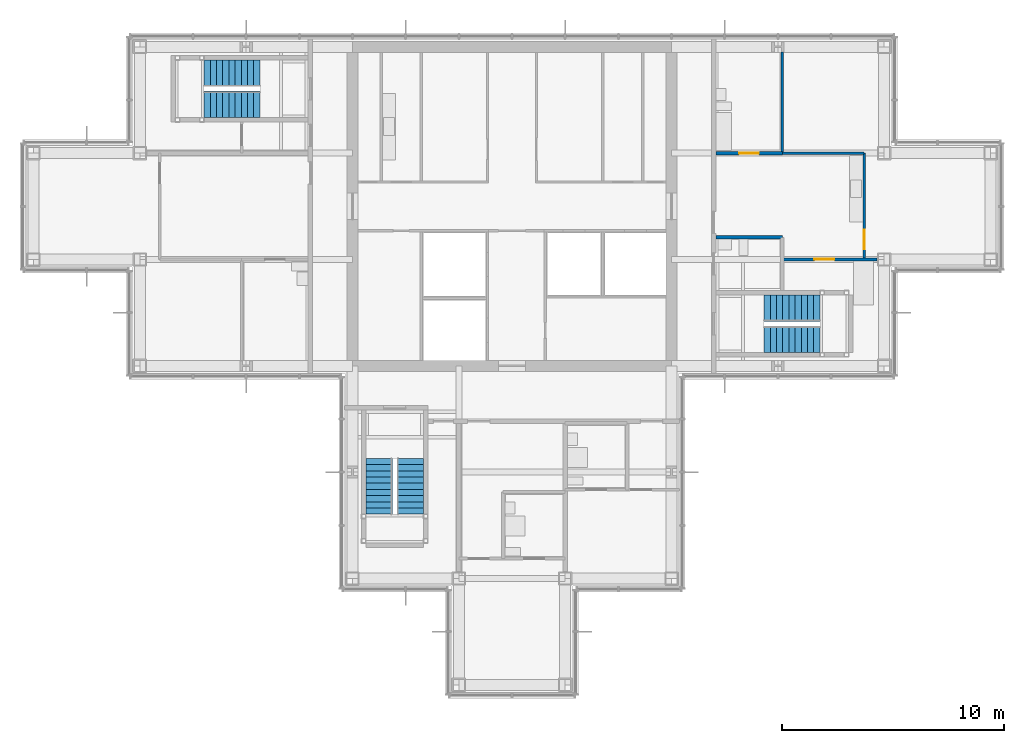
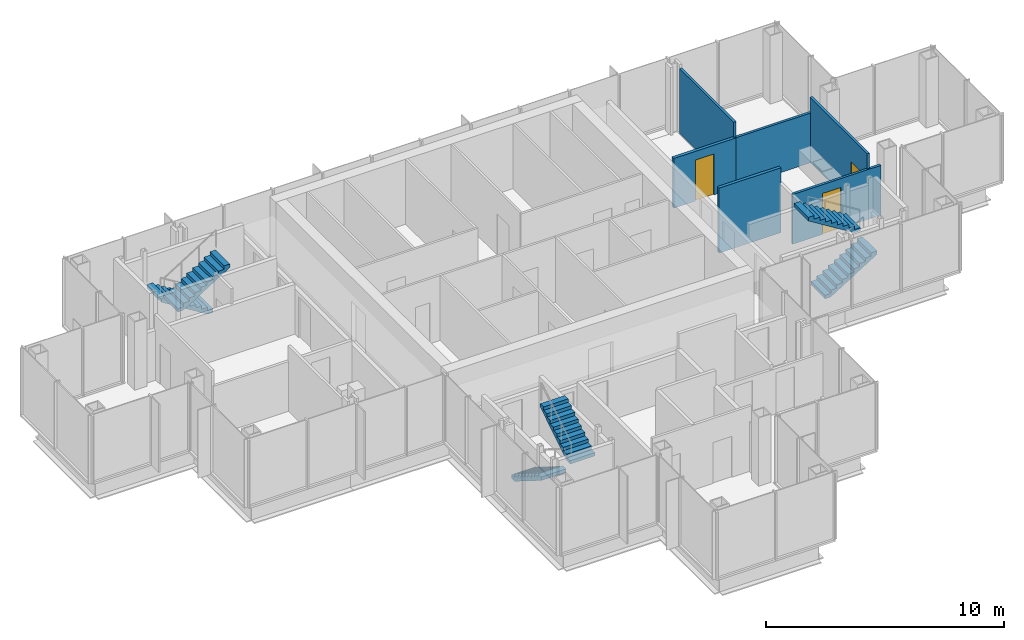
# One storey, part 12 of 15: 6 stair flights, 6 walls, 3 doors, 3 openings, 3 elements without a shape of their own.
"""IFC4 building model written with IfcOpenShell, lengths in metres."""

from ifc_helpers import new_model, si_unit, direction, frame, frame_2d, origin, place, context, subcontext, project, spatial, polyline, rectangle, outline, extrude, material, layer, layer_set, type_object, element, fill, aggregate, save


model = new_model("IFC4")

# Units and contexts
model_context = context("Model", 3, precision=1e-05, world=origin(), true_north=direction((0.0, 1.0)))
body_context = subcontext(model_context, "Body", "Model", "MODEL_VIEW")
ifc_project = project(units=[si_unit("LENGTHUNIT", "METRE"), si_unit("AREAUNIT", "SQUARE_METRE"), si_unit("VOLUMEUNIT", "CUBIC_METRE"), si_unit("PLANEANGLEUNIT", "RADIAN"), si_unit("MASSUNIT", "GRAM", prefix="KILO")], contexts=[model_context])

# Site, building, storey
site_placement = place(None, origin())
site = spatial("IfcSite", under=ifc_project, at=site_placement, CompositionType="ELEMENT")
building_placement = place(site_placement, origin())
building = spatial("IfcBuilding", under=site, at=building_placement, Name="Kvirike Care Tower", CompositionType="ELEMENT")
storey_placement = place(building_placement, frame((0.0, 0.0, 236.5)))
storey = spatial("IfcBuildingStorey", under=building, at=storey_placement, Name="L65", CompositionType="ELEMENT", Elevation=236.5)

# Wall
ifc_material_1 = material(Name="Moisture-resistant board partition", Category="gypsum")
ifc_layer_1 = layer(ifc_material_1, 0.14990234375)
ifc_layer_set_1 = layer_set([ifc_layer_1], Name="BATHROOM WALL 150")
wall_type_1 = type_object("IfcWallType", Name="BATHROOM WALL 150", PredefinedType="PARTITIONING", material=ifc_layer_set_1)
wall_1_placement = place(storey_placement, frame((33.800048828125, 34.60009765625, 0.0), z_axis=(0.0, 0.0, 1.0), x_axis=(-1.0, 0.0, 0.0)))
element("IfcWall", 1, at=wall_1_placement, inside=storey, type_object=wall_type_1, Name="Bathroom Wall 150 L65", PredefinedType="PARTITIONING", context=body_context, shape_type="SweptSolid", body=[
    extrude(rectangle(XDim=3.0, YDim=0.14990234375, at=frame_2d((1.5, 0.0))), origin(), (0.0, 0.0, 1.0), 3.330078125),
])

# Wall, opening, door
wall_2_placement = place(storey_placement, frame((33.800048828125, 38.39990234375, 0.0), z_axis=(0.0, 0.0, 1.0), x_axis=(-1.0, 0.0, 0.0)))
wall_2 = element("IfcWall", 2, at=wall_2_placement, inside=storey, type_object=wall_type_1, Name="Bathroom Wall 150 L65", PredefinedType="PARTITIONING", context=body_context, shape_type="SweptSolid", body=[
    extrude(rectangle(XDim=3.0, YDim=0.14990234375, at=frame_2d((1.5, 0.0))), origin(), (0.0, 0.0, 1.0), 2.550048828125),
])
opening_1_placement = place(wall_2_placement, frame((1.050048828125, 0.0, 0.0)))
opening_1 = element("IfcOpeningElement", 3, at=opening_1_placement, cuts=wall_2, Name="Opening 65-015", PredefinedType="OPENING", context=body_context, shape_type="SweptSolid", body=[
    extrude(rectangle(XDim=0.89990234375, YDim=2.10009765625, at=frame_2d((0.449951171875, 1.050048828125))), frame((0.0, 0.08544921875, 0.0), z_axis=(0.0, -1.0, 0.0), x_axis=(1.0, 0.0, 0.0)), (0.0, 0.0, 1.0), 0.1708984375),
])
ifc_material_2 = material(Name="Timber door set", Category="wood")
door_type_1 = type_object("IfcDoorType", Name="BATHROOM DOOR 900", OperationType="SINGLE_SWING_RIGHT", PredefinedType="DOOR", material=ifc_material_2)
door_1_placement = place(opening_1_placement, frame((0.89990234375, 0.0, 0.0), z_axis=(0.0, 0.0, 1.0), x_axis=(-1.0, 0.0, 0.0)))
door_1 = element("IfcDoor", 4, at=door_1_placement, inside=storey, type_object=door_type_1, Name="Bathroom door", OperationType="SINGLE_SWING_LEFT", OverallHeight=2.10009765625, OverallWidth=0.89990234375, PredefinedType="DOOR", context=body_context, shape_type="SweptSolid", body=[
    extrude(rectangle(XDim=0.89990234375, YDim=2.10009765625, at=frame_2d((0.449951171875, 1.050048828125))), frame((0.0, 0.02197265625, 0.0), z_axis=(0.0, -1.0, 0.0), x_axis=(1.0, 0.0, 0.0)), (0.0, 0.0, 1.0), 0.0439453125),
])
fill(opening_1, door_1)

ifc_material_3 = material(Name="Plasterboard partition", Category="gypsum")
ifc_layer_2 = layer(ifc_material_3, 0.1201171875)
ifc_layer_set_2 = layer_set([ifc_layer_2], Name="PARTITION 120")
wall_type_2 = type_object("IfcWallType", Name="PARTITION 120", PredefinedType="PARTITIONING", material=ifc_layer_set_2)
wall_3_placement = place(storey_placement, frame((37.5, 33.60009765625, 0.0), z_axis=(0.0, 0.0, 1.0), x_axis=(0.0, 1.0, 0.0)))
wall_3 = element("IfcWall", 5, at=wall_3_placement, inside=storey, type_object=wall_type_2, Name="Partition 120 L65", PredefinedType="PARTITIONING", context=body_context, shape_type="SweptSolid", body=[
    extrude(rectangle(XDim=4.7998046875, YDim=0.1201171875, at=frame_2d((2.39990234375, 0.0))), origin(), (0.0, 0.0, 1.0), 3.330078125),
])
opening_2_placement = place(wall_3_placement, frame((0.449951171875, 0.0, 0.0)))
opening_2 = element("IfcOpeningElement", 6, at=opening_2_placement, cuts=wall_3, Name="Opening 65-016", PredefinedType="OPENING", context=body_context, shape_type="SweptSolid", body=[
    extrude(rectangle(XDim=0.89990234375, YDim=2.10009765625, at=frame_2d((0.449951171875, 1.050048828125))), frame((0.0, 0.070556640625, 0.0), z_axis=(0.0, -1.0, 0.0), x_axis=(1.0, 0.0, 0.0)), (0.0, 0.0, 1.0), 0.14111328125),
])
ifc_material_4 = material(Name="Timber door set", Category="wood")
door_type_2 = type_object("IfcDoorType", Name="INTERNAL DOOR 900", OperationType="SINGLE_SWING_LEFT", PredefinedType="DOOR", material=ifc_material_4)
door_2_placement = place(opening_2_placement, origin())
door_2 = element("IfcDoor", 7, at=door_2_placement, inside=storey, type_object=door_type_2, Name="Apartment living and dining room door", OperationType="SINGLE_SWING_RIGHT", OverallHeight=2.10009765625, OverallWidth=0.89990234375, PredefinedType="DOOR", context=body_context, shape_type="SweptSolid", body=[
    extrude(rectangle(XDim=0.89990234375, YDim=2.10009765625, at=frame_2d((0.449951171875, 1.050048828125))), frame((0.0, 0.02197265625, 0.0), z_axis=(0.0, -1.0, 0.0), x_axis=(1.0, 0.0, 0.0)), (0.0, 0.0, 1.0), 0.0439453125),
])
fill(opening_2, door_2)

# Wall
wall_4_placement = place(storey_placement, frame((33.800048828125, 38.39990234375, 0.0), z_axis=(0.0, 0.0, 1.0), x_axis=(0.0, 1.0, 0.0)))
element("IfcWall", 8, at=wall_4_placement, inside=storey, type_object=wall_type_2, Name="Partition 120 L65", PredefinedType="PARTITIONING", context=body_context, shape_type="SweptSolid", body=[
    extrude(rectangle(XDim=4.55615234375, YDim=0.1201171875, at=frame_2d((2.278076171875, 0.0))), origin(), (0.0, 0.0, 1.0), 3.330078125),
])

# Wall, opening, door
wall_5_placement = place(storey_placement, frame((38.080078125, 33.60009765625, 0.0), z_axis=(0.0, 0.0, 1.0), x_axis=(-1.0, 0.0, 0.0)))
wall_5 = element("IfcWall", 9, at=wall_5_placement, inside=storey, type_object=wall_type_2, Name="Partition 120 L65", PredefinedType="PARTITIONING", context=body_context, shape_type="SweptSolid", body=[
    extrude(rectangle(XDim=4.280029296875, YDim=0.1201171875, at=frame_2d((2.14013671875, 0.0))), origin(), (0.0, 0.0, 1.0), 2.550048828125),
])
opening_3_placement = place(wall_5_placement, frame((1.929931640625, 0.0, 0.0)))
opening_3 = element("IfcOpeningElement", 10, at=opening_3_placement, cuts=wall_5, Name="Opening 65-017", PredefinedType="OPENING", context=body_context, shape_type="SweptSolid", body=[
    extrude(rectangle(XDim=0.89990234375, YDim=2.10009765625, at=frame_2d((0.449951171875, 1.050048828125))), frame((0.0, 0.070556640625, 0.0), z_axis=(0.0, -1.0, 0.0), x_axis=(1.0, 0.0, 0.0)), (0.0, 0.0, 1.0), 0.14111328125),
])
door_3_placement = place(opening_3_placement, origin())
door_3 = element("IfcDoor", 11, at=door_3_placement, inside=storey, type_object=door_type_2, Name="Connecting door", OperationType="SINGLE_SWING_LEFT", OverallHeight=2.10009765625, OverallWidth=0.89990234375, PredefinedType="DOOR", context=body_context, shape_type="SweptSolid", body=[
    extrude(rectangle(XDim=0.89990234375, YDim=2.10009765625, at=frame_2d((0.449951171875, 1.050048828125))), frame((0.0, 0.02197265625, 0.0), z_axis=(0.0, -1.0, 0.0), x_axis=(1.0, 0.0, 0.0)), (0.0, 0.0, 1.0), 0.0439453125),
])
fill(opening_3, door_3)

# Wall
wall_6_placement = place(storey_placement, frame((37.5, 38.39990234375, 0.0), z_axis=(0.0, 0.0, 1.0), x_axis=(-1.0, 0.0, 0.0)))
element("IfcWall", 12, at=wall_6_placement, inside=storey, type_object=wall_type_2, Name="Partition 120 L65", PredefinedType="PARTITIONING", context=body_context, shape_type="SweptSolid", body=[
    extrude(rectangle(XDim=3.699951171875, YDim=0.1201171875, at=frame_2d((1.85009765625, 0.0))), origin(), (0.0, 0.0, 1.0), 2.550048828125),
])

# Stair, stair flights
ifc_material_5 = material(Name="Concrete C35/45", Category="concrete")
stair_type = type_object("IfcStairType", Name="STAIR 20 RISERS", PredefinedType="HALF_TURN_STAIR", material=ifc_material_5)
stair_1_placement = place(storey_placement, origin())
stair_1 = element("IfcStair", 13, at=stair_1_placement, inside=storey, type_object=stair_type, Name="Stair 1 L65", PredefinedType="HALF_TURN_STAIR")
ifc_material_6 = material(Name="Concrete C35/45", Category="concrete")
stair_flight_type = type_object("IfcStairFlightType", Name="FLIGHT 10 RISERS", PredefinedType="STRAIGHT", material=ifc_material_6)
stair_flight_1_placement = place(storey_placement, frame((10.219970703125, 42.0, 0.0), z_axis=(0.0, 0.0, 1.0), x_axis=(-1.0, 0.0, 0.0)))
stair_flight_1 = element("IfcStairFlight", 14, at=stair_flight_1_placement, type_object=stair_flight_type, Name="Stair S1 flight 1 L65-L66", NumberOfRisers=10, NumberOfTreads=9, PredefinedType="STRAIGHT", RiserHeight=0.175, TreadLength=0.28, context=body_context, shape_type="SweptSolid", body=[
    extrude(outline(polyline([(0.0, 0.0), (0.0, 0.175048828125), (0.280029296875, 0.175048828125), (0.280029296875, 0.35009765625), (0.56005859375, 0.35009765625), (0.56005859375, 0.52490234375), (0.840087890625, 0.52490234375), (0.840087890625, 0.699951171875), (1.1201171875, 0.699951171875), (1.1201171875, 0.875), (1.39990234375, 0.875), (1.39990234375, 1.050048828125), (1.679931640625, 1.050048828125), (1.679931640625, 1.22509765625), (1.9599609375, 1.22509765625), (1.9599609375, 1.39990234375), (2.239990234375, 1.39990234375), (2.239990234375, 1.574951171875), (2.52001953125, 1.574951171875), (2.52001953125, 1.75), (2.52001953125, 1.398193359375), (0.28271484375, 0.0), (0.0, 0.0)])), frame((0.0, 0.60009765625, 0.0), z_axis=(0.0, -1.0, 0.0), x_axis=(1.0, 0.0, 0.0)), (0.0, 0.0, 1.0), 1.199951171875),
])
stair_flight_2_placement = place(storey_placement, frame((7.699951171875, 40.60009765625, 1.75), z_axis=(0.0, 0.0, 1.0), x_axis=(1.0, 0.0, 0.0)))
stair_flight_2 = element("IfcStairFlight", 15, at=stair_flight_2_placement, type_object=stair_flight_type, Name="Stair S1 flight 2 L65-L66", NumberOfRisers=10, NumberOfTreads=9, PredefinedType="STRAIGHT", RiserHeight=0.175, TreadLength=0.28, context=body_context, shape_type="SweptSolid", body=[
    extrude(outline(polyline([(0.0, 0.0), (0.0, 0.175048828125), (0.280029296875, 0.175048828125), (0.280029296875, 0.35009765625), (0.56005859375, 0.35009765625), (0.56005859375, 0.52490234375), (0.840087890625, 0.52490234375), (0.840087890625, 0.699951171875), (1.1201171875, 0.699951171875), (1.1201171875, 0.875), (1.39990234375, 0.875), (1.39990234375, 1.050048828125), (1.679931640625, 1.050048828125), (1.679931640625, 1.22509765625), (1.9599609375, 1.22509765625), (1.9599609375, 1.39990234375), (2.239990234375, 1.39990234375), (2.239990234375, 1.574951171875), (2.52001953125, 1.574951171875), (2.52001953125, 1.75), (2.52001953125, 1.398193359375), (0.28271484375, 0.0), (0.0, 0.0)])), frame((0.0, 0.60009765625, 0.0), z_axis=(0.0, -1.0, 0.0), x_axis=(1.0, 0.0, 0.0)), (0.0, 0.0, 1.0), 1.199951171875),
])
aggregate(stair_1, [stair_flight_1, stair_flight_2])

stair_2_placement = place(storey_placement, origin())
stair_2 = element("IfcStair", 16, at=stair_2_placement, inside=storey, type_object=stair_type, Name="Stair 2 L65", PredefinedType="HALF_TURN_STAIR")
stair_flight_3_placement = place(storey_placement, frame((32.97998046875, 30.0, 0.0), z_axis=(0.0, 0.0, 1.0), x_axis=(1.0, 0.0, 0.0)))
stair_flight_3 = element("IfcStairFlight", 17, at=stair_flight_3_placement, type_object=stair_flight_type, Name="Stair S2 flight 1 L65-L66", NumberOfRisers=10, NumberOfTreads=9, PredefinedType="STRAIGHT", RiserHeight=0.175, TreadLength=0.28, context=body_context, shape_type="SweptSolid", body=[
    extrude(outline(polyline([(0.0, 0.0), (0.0, 0.175048828125), (0.280029296875, 0.175048828125), (0.280029296875, 0.35009765625), (0.56005859375, 0.35009765625), (0.56005859375, 0.52490234375), (0.840087890625, 0.52490234375), (0.840087890625, 0.699951171875), (1.1201171875, 0.699951171875), (1.1201171875, 0.875), (1.39990234375, 0.875), (1.39990234375, 1.050048828125), (1.679931640625, 1.050048828125), (1.679931640625, 1.22509765625), (1.9599609375, 1.22509765625), (1.9599609375, 1.39990234375), (2.239990234375, 1.39990234375), (2.239990234375, 1.574951171875), (2.52001953125, 1.574951171875), (2.52001953125, 1.75), (2.52001953125, 1.398193359375), (0.28271484375, 0.0), (0.0, 0.0)])), frame((0.0, 0.60009765625, 0.0), z_axis=(0.0, -1.0, 0.0), x_axis=(1.0, 0.0, 0.0)), (0.0, 0.0, 1.0), 1.199951171875),
])
stair_flight_4_placement = place(storey_placement, frame((35.5, 31.39990234375, 1.75), z_axis=(0.0, 0.0, 1.0), x_axis=(-1.0, 0.0, 0.0)))
stair_flight_4 = element("IfcStairFlight", 18, at=stair_flight_4_placement, type_object=stair_flight_type, Name="Stair S2 flight 2 L65-L66", NumberOfRisers=10, NumberOfTreads=9, PredefinedType="STRAIGHT", RiserHeight=0.175, TreadLength=0.28, context=body_context, shape_type="SweptSolid", body=[
    extrude(outline(polyline([(0.0, 0.0), (0.0, 0.175048828125), (0.280029296875, 0.175048828125), (0.280029296875, 0.35009765625), (0.56005859375, 0.35009765625), (0.56005859375, 0.52490234375), (0.840087890625, 0.52490234375), (0.840087890625, 0.699951171875), (1.1201171875, 0.699951171875), (1.1201171875, 0.875), (1.39990234375, 0.875), (1.39990234375, 1.050048828125), (1.679931640625, 1.050048828125), (1.679931640625, 1.22509765625), (1.9599609375, 1.22509765625), (1.9599609375, 1.39990234375), (2.239990234375, 1.39990234375), (2.239990234375, 1.574951171875), (2.52001953125, 1.574951171875), (2.52001953125, 1.75), (2.52001953125, 1.398193359375), (0.28271484375, 0.0), (0.0, 0.0)])), frame((0.0, 0.60009765625, 0.0), z_axis=(0.0, -1.0, 0.0), x_axis=(1.0, 0.0, 0.0)), (0.0, 0.0, 1.0), 1.199951171875),
])
aggregate(stair_2, [stair_flight_3, stair_flight_4])

stair_3_placement = place(storey_placement, origin())
stair_3 = element("IfcStair", 19, at=stair_3_placement, inside=storey, type_object=stair_type, Name="Stair 5 L65", PredefinedType="HALF_TURN_STAIR")
stair_flight_5_placement = place(storey_placement, frame((15.60009765625, 24.6201171875, 0.0), z_axis=(0.0, 0.0, 1.0), x_axis=(0.0, -1.0, 0.0)))
stair_flight_5 = element("IfcStairFlight", 20, at=stair_flight_5_placement, type_object=stair_flight_type, Name="Stair S5 flight 1 L65-L66", NumberOfRisers=10, NumberOfTreads=9, PredefinedType="STRAIGHT", RiserHeight=0.175, TreadLength=0.28, context=body_context, shape_type="SweptSolid", body=[
    extrude(outline(polyline([(0.0, 0.0), (0.0, 0.175048828125), (0.280029296875, 0.175048828125), (0.280029296875, 0.35009765625), (0.56005859375, 0.35009765625), (0.56005859375, 0.52490234375), (0.840087890625, 0.52490234375), (0.840087890625, 0.699951171875), (1.1201171875, 0.699951171875), (1.1201171875, 0.875), (1.39990234375, 0.875), (1.39990234375, 1.050048828125), (1.679931640625, 1.050048828125), (1.679931640625, 1.22509765625), (1.9599609375, 1.22509765625), (1.9599609375, 1.39990234375), (2.239990234375, 1.39990234375), (2.239990234375, 1.574951171875), (2.52001953125, 1.574951171875), (2.52001953125, 1.75), (2.52001953125, 1.398193359375), (0.28271484375, 0.0), (0.0, 0.0)])), frame((0.0, 0.60009765625, 0.0), z_axis=(0.0, -1.0, 0.0), x_axis=(1.0, 0.0, 0.0)), (0.0, 0.0, 1.0), 1.199951171875),
])
stair_flight_6_placement = place(storey_placement, frame((17.0, 22.10009765625, 1.75), z_axis=(0.0, 0.0, 1.0), x_axis=(0.0, 1.0, 0.0)))
stair_flight_6 = element("IfcStairFlight", 21, at=stair_flight_6_placement, type_object=stair_flight_type, Name="Stair S5 flight 2 L65-L66", NumberOfRisers=10, NumberOfTreads=9, PredefinedType="STRAIGHT", RiserHeight=0.175, TreadLength=0.28, context=body_context, shape_type="SweptSolid", body=[
    extrude(outline(polyline([(0.0, 0.0), (0.0, 0.175048828125), (0.280029296875, 0.175048828125), (0.280029296875, 0.35009765625), (0.56005859375, 0.35009765625), (0.56005859375, 0.52490234375), (0.840087890625, 0.52490234375), (0.840087890625, 0.699951171875), (1.1201171875, 0.699951171875), (1.1201171875, 0.875), (1.39990234375, 0.875), (1.39990234375, 1.050048828125), (1.679931640625, 1.050048828125), (1.679931640625, 1.22509765625), (1.9599609375, 1.22509765625), (1.9599609375, 1.39990234375), (2.239990234375, 1.39990234375), (2.239990234375, 1.574951171875), (2.52001953125, 1.574951171875), (2.52001953125, 1.75), (2.52001953125, 1.398193359375), (0.28271484375, 0.0), (0.0, 0.0)])), frame((0.0, 0.60009765625, 0.0), z_axis=(0.0, -1.0, 0.0), x_axis=(1.0, 0.0, 0.0)), (0.0, 0.0, 1.0), 1.199951171875),
])
aggregate(stair_3, [stair_flight_5, stair_flight_6])

save(model, "model.ifc")
